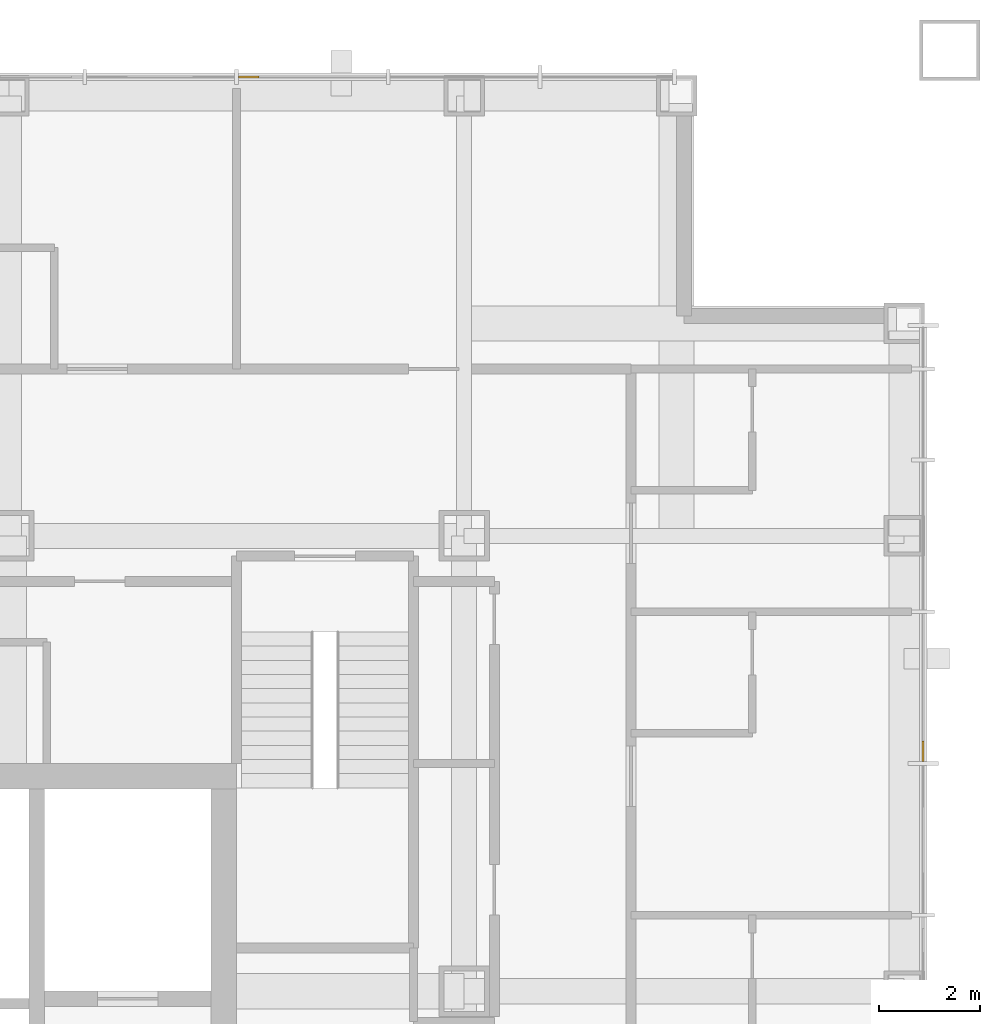
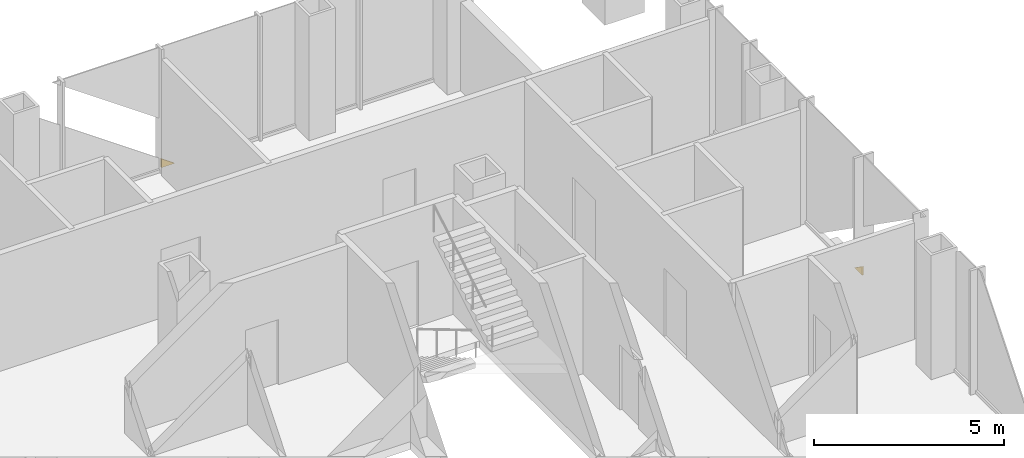
# One storey, part 17 of 17: 2 coverings.
"""IFC4 building model written with IfcOpenShell, lengths in metres."""

from ifc_helpers import new_model, si_unit, direction, frame, origin, place, context, subcontext, project, spatial, polyline, outline, extrude, material, layer, layer_set, type_object, element, save


model = new_model("IFC4")

# Units and contexts
model_context = context("Model", 3, precision=1e-05, world=origin(), true_north=direction((0.0, 1.0)))
body_context = subcontext(model_context, "Body", "Model", "MODEL_VIEW")
ifc_project = project(units=[si_unit("LENGTHUNIT", "METRE"), si_unit("AREAUNIT", "SQUARE_METRE"), si_unit("VOLUMEUNIT", "CUBIC_METRE"), si_unit("PLANEANGLEUNIT", "RADIAN"), si_unit("MASSUNIT", "GRAM", prefix="KILO")], contexts=[model_context])

# Site, building, storey
site_placement = place(None, origin())
site = spatial("IfcSite", under=ifc_project, at=site_placement, CompositionType="ELEMENT")
building_placement = place(site_placement, origin())
building = spatial("IfcBuilding", under=site, at=building_placement, Name="Malebo Sky Hospital", CompositionType="ELEMENT")
storey_placement = place(building_placement, frame((0.0, 0.0, 185.0)))
storey = spatial("IfcBuildingStorey", under=building, at=storey_placement, Name="L44", CompositionType="ELEMENT", Elevation=185.0)

# Coverings
ifc_material = material(Name="Anodised aluminium, natural silver insulated infill panel", Category="aluminium")
ifc_layer = layer(ifc_material, 0.0400390625)
ifc_layer_set = layer_set([ifc_layer], Name="BRACE INFILL PANEL 40")
covering_type = type_object("IfcCoveringType", Name="BRACE INFILL PANEL 40", PredefinedType="CLADDING", material=ifc_layer_set)
covering_1_placement = place(storey_placement, frame((69.240478515625, 84.574951171875, 0.10009765625), z_axis=(0.0, 0.0, 1.0), x_axis=(1.0, 0.0, 0.0)))
element("IfcCovering", 1, at=covering_1_placement, inside=storey, type_object=covering_type, Name="Brace infill panel 11.1", PredefinedType="CLADDING", context=body_context, shape_type="SweptSolid", body=[
    extrude(outline(polyline([(-0.202880859375, 0.0), (0.202880859375, 0.0), (-0.202880859375, 0.284912109375), (-0.202880859375, 0.0)])), frame((0.0, 0.02001953125, 0.0), z_axis=(0.0, -1.0, 0.0), x_axis=(1.0, 0.0, 0.0)), (0.0, 0.0, 1.0), 0.0400390625),
])
covering_2_placement = place(storey_placement, frame((82.574951171875, 71.240478515625, 0.10009765625), z_axis=(0.0, 0.0, 1.0), x_axis=(0.0, -1.0, 0.0)))
element("IfcCovering", 2, at=covering_2_placement, inside=storey, type_object=covering_type, Name="Brace infill panel 4.1", PredefinedType="CLADDING", context=body_context, shape_type="SweptSolid", body=[
    extrude(outline(polyline([(-0.202880859375, 0.0), (0.202880859375, 0.0), (0.202880859375, 0.284912109375), (-0.202880859375, 0.0)])), frame((0.0, 0.02001953125, 0.0), z_axis=(0.0, -1.0, 0.0), x_axis=(1.0, 0.0, 0.0)), (0.0, 0.0, 1.0), 0.0400390625),
])

save(model, "model.ifc")
